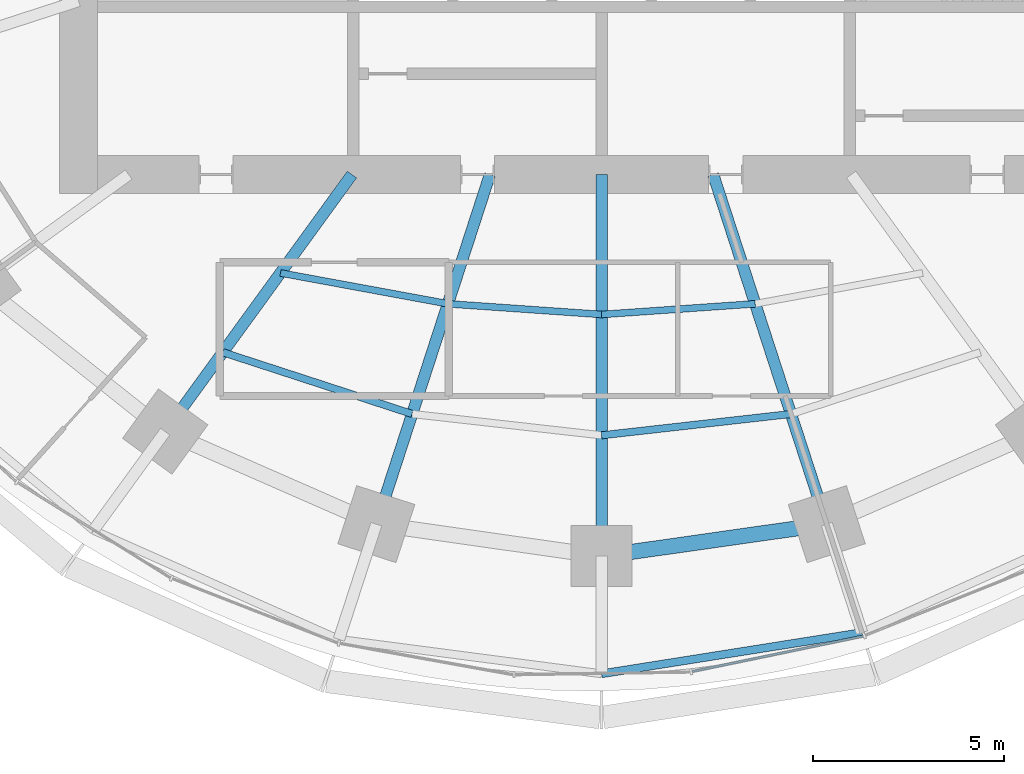
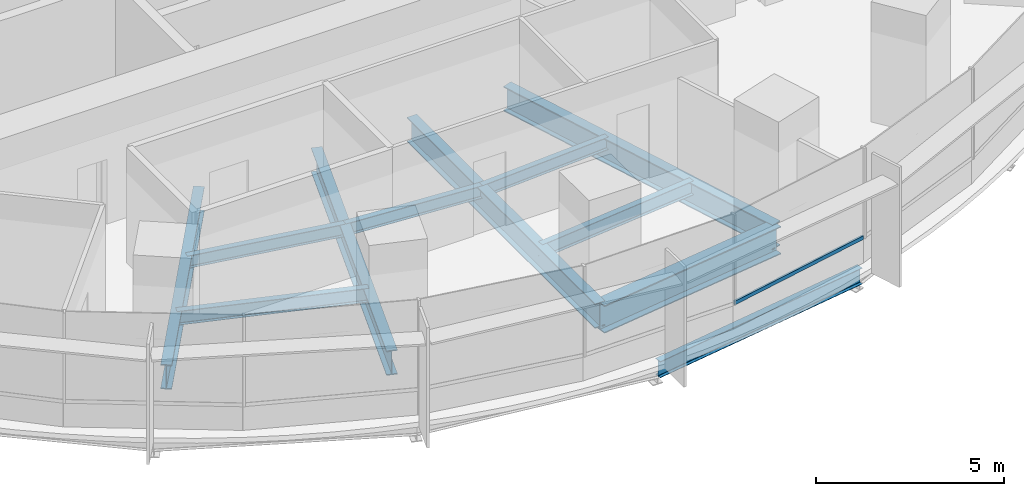
# One storey, part 3 of 14: 11 beams, 1 member, 1 element without a shape of its own.
"""IFC4 building model written with IfcOpenShell, lengths in metres."""

from ifc_helpers import new_model, si_unit, direction, frame, origin, origin_2d, place, context, subcontext, project, spatial, rectangle, i_section, extrude, material, material_profile, profile_set, type_object, element, aggregate, save


model = new_model("IFC4")

# Units and contexts
model_context = context("Model", 3, precision=1e-05, world=origin(), true_north=direction((0.0, 1.0)))
body_context = subcontext(model_context, "Body", "Model", "MODEL_VIEW")
ifc_project = project(units=[si_unit("LENGTHUNIT", "METRE"), si_unit("AREAUNIT", "SQUARE_METRE"), si_unit("VOLUMEUNIT", "CUBIC_METRE"), si_unit("PLANEANGLEUNIT", "RADIAN"), si_unit("MASSUNIT", "GRAM", prefix="KILO")], contexts=[model_context])

# Site, building, storey
site_placement = place(None, origin())
site = spatial("IfcSite", under=ifc_project, at=site_placement, CompositionType="ELEMENT")
building_placement = place(site_placement, origin())
building = spatial("IfcBuilding", under=site, at=building_placement, Name="Marramba Exchange Tower", CompositionType="ELEMENT")
storey_placement = place(building_placement, frame((0.0, 0.0, 96.300048828125)))
storey = spatial("IfcBuildingStorey", under=building, at=storey_placement, Name="L22", CompositionType="ELEMENT", Elevation=96.300048828125)

# Beams
ifc_material_1 = material(Name="Steel AS/NZS 3679.1 grade 300", Category="steel")
ifc_material_profile_1 = material_profile(ifc_material_1, i_section(OverallWidth=0.177978515625, OverallDepth=0.406005859375, WebThickness=0.0078125, FlangeThickness=0.0126953125, FilletRadius=0.011474609375, at=origin_2d()), Name="410UB59.7")
ifc_profile_set_1 = profile_set([ifc_material_profile_1], Name="Steel AS/NZS 3679.1 grade 300")
beam_type_1 = type_object("IfcBeamType", Name="Floor joist 410UB59.7", PredefinedType="JOIST", material=ifc_profile_set_1)
beam_1_placement = place(storey_placement, frame((-8.41162109375, -11.57763671875, -0.363037109375), z_axis=(0.983455754421, -0.181148500119, 0.0), x_axis=(0.181148500119, 0.983455754421, 0.0)))
element("IfcBeam", 1, at=beam_1_placement, inside=storey, type_object=beam_type_1, Name="Joist L22 bay 14 row 1", PredefinedType="JOIST", context=body_context, shape_type="SweptSolid", body=[
    extrude(i_section(OverallWidth=0.177978515625, OverallDepth=0.406005859375, WebThickness=0.0078125, FlangeThickness=0.0126953125, FilletRadius=0.011474609375, at=origin_2d()), origin(), (0.0, 0.0, 1.0), 4.4609375),
])
for number, where, z_axis, x_axis, name in (
    (2, (-4.0244140625, -12.3857421875, -0.363037109375), (0.99759625901, -0.069294328838, 0.0), (0.069294328838, 0.99759625901, 0.0), "Joist L22 bay 15 row 1"),
    (3, (0.0, -12.665283203125, -0.363037109375), (0.99759625901, 0.069294328838, 0.0), (-0.069294328838, 0.99759625901, 0.0), "Joist L22 bay 16 row 1"),
):
    element("IfcBeam", number, at=place(storey_placement, frame(where, z_axis=z_axis, x_axis=x_axis)), inside=storey, type_object=beam_type_1, Name=name, PredefinedType="JOIST", context=body_context, shape_type="SweptSolid", body=[
        extrude(i_section(OverallWidth=0.177978515625, OverallDepth=0.406005859375, WebThickness=0.0078125, FlangeThickness=0.0126953125, FilletRadius=0.011474609375, at=origin_2d()), origin(), (0.0, 0.0, 1.0), 4.0341796875),
    ])
ifc_material_profile_2 = material_profile(ifc_material_1, i_section(OverallWidth=0.18994140625, OverallDepth=0.4541015625, WebThickness=0.008544921875, FlangeThickness=0.0126953125, FilletRadius=0.011474609375, at=origin_2d()), Name="460UB67.1")
ifc_profile_set_2 = profile_set([ifc_material_profile_2], Name="Steel AS/NZS 3679.1 grade 300")
beam_type_2 = type_object("IfcBeamType", Name="Floor joist 460UB67.1", PredefinedType="JOIST", material=ifc_profile_set_2)
beam_2_placement = place(storey_placement, frame((-9.9208984375, -13.655029296875, -0.386962890625), z_axis=(0.950764024931, -0.309915744834, 0.0), x_axis=(0.309915744834, 0.950764024931, 0.0)))
element("IfcBeam", 4, at=beam_2_placement, inside=storey, type_object=beam_type_2, Name="Joist L22 bay 14 row 2", PredefinedType="JOIST", context=body_context, shape_type="SweptSolid", body=[
    extrude(i_section(OverallWidth=0.18994140625, OverallDepth=0.4541015625, WebThickness=0.008544921875, FlangeThickness=0.0126953125, FilletRadius=0.011474609375, at=origin_2d()), origin(), (0.0, 0.0, 1.0), 5.2158203125),
])
beam_3_placement = place(storey_placement, frame((0.0, -15.83056640625, -0.386962890625), z_axis=(0.993712018573, 0.111966174106, 0.0), x_axis=(-0.111966174106, 0.993712018573, 0.0)))
element("IfcBeam", 5, at=beam_3_placement, inside=storey, type_object=beam_type_2, Name="Joist L22 bay 16 row 2", PredefinedType="JOIST", context=body_context, shape_type="SweptSolid", body=[
    extrude(i_section(OverallWidth=0.18994140625, OverallDepth=0.4541015625, WebThickness=0.008544921875, FlangeThickness=0.0126953125, FilletRadius=0.011474609375, at=origin_2d()), origin(), (0.0, 0.0, 1.0), 4.993408203125),
])

# Curtain wall, member
ifc_material_2 = material(Name="Aluminium framing, bronze anodised", Category="aluminium")
curtain_wall_type = type_object("IfcCurtainWallType", Name="Office ribbon curtain wall", PredefinedType="USERDEFINED", material=ifc_material_2)
curtain_wall_placement = place(storey_placement, origin())
curtain_wall = element("IfcCurtainWall", 6, at=curtain_wall_placement, inside=storey, type_object=curtain_wall_type, Name="Curtain wall CW4 L22 F21-F25", ObjectType="RIBBON CURTAIN WALL", PredefinedType="USERDEFINED")
ifc_material_3 = material(Name="Aluminium transom, bronze anodised", Category="aluminium")
ifc_material_profile_3 = material_profile(ifc_material_3, rectangle(XDim=0.06005859375, YDim=0.1201171875, at=origin_2d()), Name="CW4 transom 60x120")
ifc_profile_set_3 = profile_set([ifc_material_profile_3], Name="Aluminium transom, bronze anodised")
member_type = type_object("IfcMemberType", Name="Office ribbon curtain wall transom", PredefinedType="USERDEFINED", material=ifc_profile_set_3)
member_placement = place(storey_placement, frame((2.374267578125, -22.017822265625, 0.829833984375), z_axis=(0.979310422034, 0.202363774661, 0.0), x_axis=(-0.202363774661, 0.979310422034, 0.0)))
member = element("IfcMember", 7, at=member_placement, type_object=member_type, Name="CW4 sill transom", ObjectType="TRANSOM", PredefinedType="USERDEFINED", context=body_context, shape_type="SweptSolid", body=[
    extrude(rectangle(XDim=0.06005859375, YDim=0.1201171875, at=origin_2d()), origin(), (0.0, 0.0, 1.0), 4.57373046875),
])
aggregate(curtain_wall, [member])

# Beams
ifc_material_4 = material(Name="Steel AS/NZS 3679.2 grade 300", Category="steel")
ifc_material_profile_4 = material_profile(ifc_material_4, i_section(OverallWidth=0.300048828125, OverallDepth=0.800048828125, WebThickness=0.013916015625, FlangeThickness=0.031982421875, at=origin_2d()), Name="800WB192")
ifc_profile_set_4 = profile_set([ifc_material_profile_4], Name="Steel AS/NZS 3679.2 grade 300")
beam_type_3 = type_object("IfcBeamType", Name="Radial girder 800WB192", PredefinedType="BEAM", material=ifc_profile_set_4)
beam_4_placement = place(storey_placement, frame((-6.538818359375, -9.0, -0.56005859375), z_axis=(-0.587787877172, -0.809015087282, 0.0), x_axis=(0.809015087282, -0.587787877172, 0.0)))
element("IfcBeam", 8, at=beam_4_placement, inside=storey, type_object=beam_type_3, Name="Radial girder L22 TC14", PredefinedType="BEAM", context=body_context, shape_type="SweptSolid", body=[
    extrude(i_section(OverallWidth=0.300048828125, OverallDepth=0.800048828125, WebThickness=0.013916015625, FlangeThickness=0.031982421875, at=origin_2d()), origin(), (0.0, 0.0, 1.0), 8.322021484375),
])
beam_5_placement = place(storey_placement, frame((-2.92431640625, -9.0, -0.56005859375), z_axis=(-0.309022428985, -0.951054750466, 0.0), x_axis=(0.951054750466, -0.309022428985, 0.0)))
element("IfcBeam", 9, at=beam_5_placement, inside=storey, type_object=beam_type_3, Name="Radial girder L22 TC15", PredefinedType="BEAM", context=body_context, shape_type="SweptSolid", body=[
    extrude(i_section(OverallWidth=0.300048828125, OverallDepth=0.800048828125, WebThickness=0.013916015625, FlangeThickness=0.031982421875, at=origin_2d()), origin(), (0.0, 0.0, 1.0), 9.628173828125),
])
beam_6_placement = place(storey_placement, frame((0.0, -9.0, -0.56005859375), z_axis=(0.0, -1.0, 0.0), x_axis=(1.0, 0.0, 0.0)))
element("IfcBeam", 10, at=beam_6_placement, inside=storey, type_object=beam_type_3, Name="Radial girder L22 TC16", PredefinedType="BEAM", context=body_context, shape_type="SweptSolid", body=[
    extrude(i_section(OverallWidth=0.300048828125, OverallDepth=0.800048828125, WebThickness=0.013916015625, FlangeThickness=0.031982421875, at=origin_2d()), origin(), (0.0, 0.0, 1.0), 9.99609375),
])
beam_7_placement = place(storey_placement, frame((2.92431640625, -9.0, -0.56005859375), z_axis=(0.309022428985, -0.951054750466, 0.0), x_axis=(0.951054750466, 0.309022428985, 0.0)))
element("IfcBeam", 11, at=beam_7_placement, inside=storey, type_object=beam_type_3, Name="Radial girder L22 TC17", PredefinedType="BEAM", context=body_context, shape_type="SweptSolid", body=[
    extrude(i_section(OverallWidth=0.300048828125, OverallDepth=0.800048828125, WebThickness=0.013916015625, FlangeThickness=0.031982421875, at=origin_2d()), origin(), (0.0, 0.0, 1.0), 9.628173828125),
])
ifc_material_profile_5 = material_profile(ifc_material_4, i_section(OverallWidth=0.39990234375, OverallDepth=0.89990234375, WebThickness=0.01611328125, FlangeThickness=0.031982421875, at=origin_2d()), Name="900WB282")
ifc_profile_set_5 = profile_set([ifc_material_profile_5], Name="Steel AS/NZS 3679.2 grade 300")
beam_type_4 = type_object("IfcBeamType", Name="Ring beam 900WB282", PredefinedType="SPANDREL", material=ifc_profile_set_5)
beam_8_placement = place(storey_placement, frame((0.0, -18.99609375, -0.610107421875), z_axis=(0.990036163016, 0.140813337152, 0.0), x_axis=(-0.140813337152, 0.990036163016, 0.0)))
element("IfcBeam", 12, at=beam_8_placement, inside=storey, type_object=beam_type_4, Name="Ring beam L22 TC16-TC17", PredefinedType="SPANDREL", context=body_context, shape_type="SweptSolid", body=[
    extrude(i_section(OverallWidth=0.39990234375, OverallDepth=0.89990234375, WebThickness=0.01611328125, FlangeThickness=0.031982421875, at=origin_2d()), origin(), (0.0, 0.0, 1.0), 5.958984375),
])
ifc_material_profile_6 = material_profile(ifc_material_1, i_section(OverallWidth=0.208984375, OverallDepth=0.528076171875, WebThickness=0.009521484375, FlangeThickness=0.01318359375, FilletRadius=0.013916015625, at=origin_2d()), Name="530UB82.0")
ifc_profile_set_6 = profile_set([ifc_material_profile_6], Name="Steel AS/NZS 3679.1 grade 300")
beam_type_5 = type_object("IfcBeamType", Name="Slab edge beam 530UB82.0", PredefinedType="SPANDREL", material=ifc_profile_set_6)
beam_9_placement = place(storey_placement, frame((0.0, -22.076904296875, -0.424072265625), z_axis=(0.987705008555, 0.15632919137, 0.0), x_axis=(-0.15632919137, 0.987705008555, 0.0)))
element("IfcBeam", 13, at=beam_9_placement, inside=storey, type_object=beam_type_5, Name="Slab edge beam L22 TC16-TC17", PredefinedType="SPANDREL", context=body_context, shape_type="SweptSolid", body=[
    extrude(i_section(OverallWidth=0.208984375, OverallDepth=0.528076171875, WebThickness=0.009521484375, FlangeThickness=0.01318359375, FilletRadius=0.013916015625, at=origin_2d()), origin(), (0.0, 0.0, 1.0), 6.907470703125),
])

save(model, "model.ifc")
